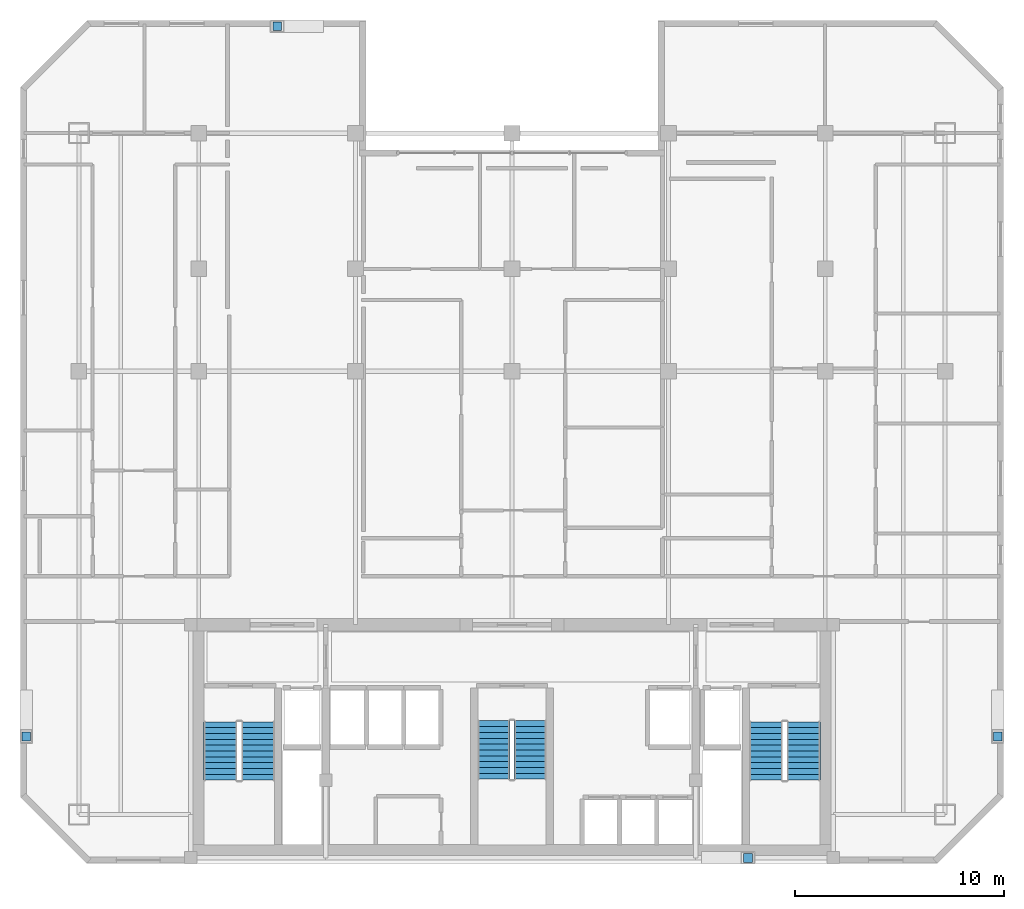
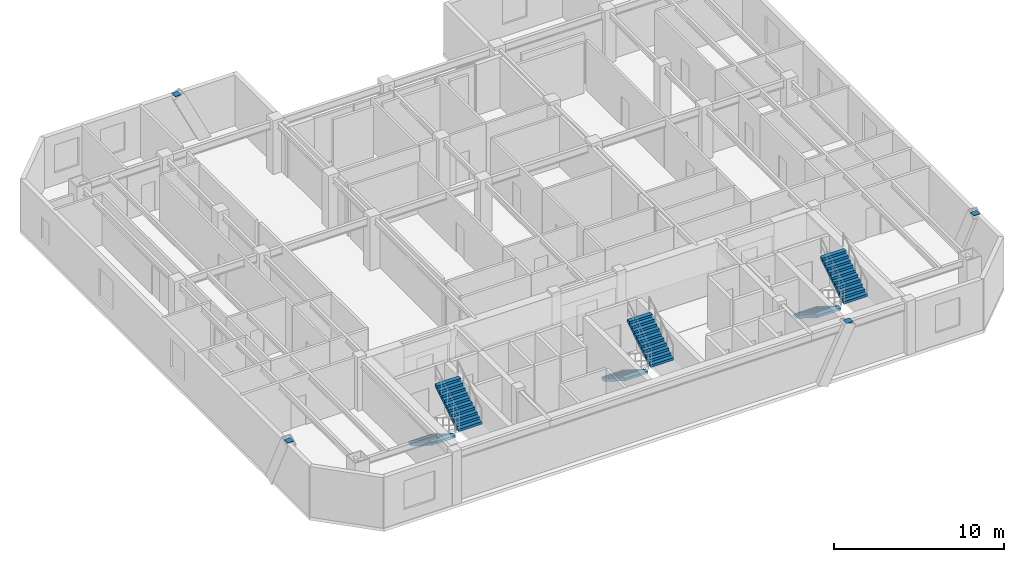
# One storey, part 9 of 10: 6 stair flights, 4 discrete accessories, 3 elements without a shape of their own.
"""IFC4 building model written with IfcOpenShell, lengths in metres."""

from ifc_helpers import new_model, si_unit, direction, frame, origin, origin_2d, place, context, subcontext, project, spatial, polyline, rectangle, outline, extrude, material, type_object, element, aggregate, save


model = new_model("IFC4")

# Units and contexts
model_context = context("Model", 3, precision=1e-05, world=origin(), true_north=direction((0.0, 1.0)))
body_context = subcontext(model_context, "Body", "Model", "MODEL_VIEW")
ifc_project = project(units=[si_unit("LENGTHUNIT", "METRE"), si_unit("AREAUNIT", "SQUARE_METRE"), si_unit("VOLUMEUNIT", "CUBIC_METRE"), si_unit("PLANEANGLEUNIT", "RADIAN"), si_unit("MASSUNIT", "GRAM", prefix="KILO")], contexts=[model_context])

# Site, building, storey
site_placement = place(None, origin())
site = spatial("IfcSite", under=ifc_project, at=site_placement, CompositionType="ELEMENT")
building_placement = place(site_placement, origin())
building = spatial("IfcBuilding", under=site, at=building_placement, Name="Ventersveld Concourse Tower", CompositionType="ELEMENT")
storey_placement = place(building_placement, frame((0.0, 0.0, 208.0)))
storey = spatial("IfcBuildingStorey", under=building, at=storey_placement, Name="L51", CompositionType="ELEMENT", Elevation=208.0)

# Stair, stair flights
ifc_material_1 = material(Name="Concrete C50/60", Category="concrete")
stair_type_1 = type_object("IfcStairType", Name="ST-DOG-155", PredefinedType="HALF_TURN_STAIR", material=ifc_material_1)
stair_1_placement = place(storey_placement, origin())
stair_1 = element("IfcStair", 1, at=stair_1_placement, inside=storey, type_object=stair_type_1, Name="L51 Protected Central Core Escape Stair ST-03", PredefinedType="HALF_TURN_STAIR")
stair_flight_type_1 = type_object("IfcStairFlightType", Name="STF-RC-155", PredefinedType="STRAIGHT", material=ifc_material_1)
stair_flight_1_placement = place(storey_placement, frame((27.875, 6.85009765625, 0.0), z_axis=(0.0, 0.0, 1.0), x_axis=(0.0, -1.0, 0.0)))
stair_flight_1 = element("IfcStairFlight", 2, at=stair_flight_1_placement, type_object=stair_flight_type_1, Name="ST-03 flight 1", NumberOfRisers=11, NumberOfTreads=10, PredefinedType="STRAIGHT", RiserHeight=0.175, TreadLength=0.28, context=body_context, shape_type="SweptSolid", body=[
    extrude(outline(polyline([(0.0, 0.0), (0.0, 0.175048828125), (0.280029296875, 0.175048828125), (0.280029296875, 0.35009765625), (0.56005859375, 0.35009765625), (0.56005859375, 0.52490234375), (0.840087890625, 0.52490234375), (0.840087890625, 0.699951171875), (1.1201171875, 0.699951171875), (1.1201171875, 0.875), (1.39990234375, 0.875), (1.39990234375, 1.050048828125), (1.679931640625, 1.050048828125), (1.679931640625, 1.22509765625), (1.9599609375, 1.22509765625), (1.9599609375, 1.39990234375), (2.239990234375, 1.39990234375), (2.239990234375, 1.574951171875), (2.52001953125, 1.574951171875), (2.52001953125, 1.75), (2.800048828125, 1.75), (2.800048828125, 1.925048828125), (2.800048828125, 1.5732421875), (0.28271484375, 0.0), (0.0, 0.0)])), frame((0.0, 0.77490234375, 0.0), z_axis=(0.0, -1.0, 0.0), x_axis=(1.0, 0.0, 0.0)), (0.0, 0.0, 1.0), 1.550048828125),
])
stair_flight_2_placement = place(storey_placement, frame((29.625, 4.050048828125, 1.925048828125), z_axis=(0.0, 0.0, 1.0), x_axis=(0.0, 1.0, 0.0)))
stair_flight_2 = element("IfcStairFlight", 3, at=stair_flight_2_placement, type_object=stair_flight_type_1, Name="ST-03 flight 2", NumberOfRisers=11, NumberOfTreads=10, PredefinedType="STRAIGHT", RiserHeight=0.175, TreadLength=0.28, context=body_context, shape_type="SweptSolid", body=[
    extrude(outline(polyline([(0.0, 0.0), (0.0, 0.175048828125), (0.280029296875, 0.175048828125), (0.280029296875, 0.35009765625), (0.56005859375, 0.35009765625), (0.56005859375, 0.52490234375), (0.840087890625, 0.52490234375), (0.840087890625, 0.699951171875), (1.1201171875, 0.699951171875), (1.1201171875, 0.875), (1.39990234375, 0.875), (1.39990234375, 1.050048828125), (1.679931640625, 1.050048828125), (1.679931640625, 1.22509765625), (1.9599609375, 1.22509765625), (1.9599609375, 1.39990234375), (2.239990234375, 1.39990234375), (2.239990234375, 1.574951171875), (2.52001953125, 1.574951171875), (2.52001953125, 1.75), (2.800048828125, 1.75), (2.800048828125, 1.925048828125), (2.800048828125, 1.5732421875), (0.28271484375, 0.0), (0.0, 0.0)])), frame((0.0, 0.77490234375, 0.0), z_axis=(0.0, -1.0, 0.0), x_axis=(1.0, 0.0, 0.0)), (0.0, 0.0, 1.0), 1.550048828125),
])
aggregate(stair_1, [stair_flight_1, stair_flight_2])

stair_type_2 = type_object("IfcStairType", Name="ST-DOG-160", PredefinedType="HALF_TURN_STAIR", material=ifc_material_1)
stair_2_placement = place(storey_placement, origin())
stair_2 = element("IfcStair", 4, at=stair_2_placement, inside=storey, type_object=stair_type_2, Name="L51 Protected Tower Escape Stair ST-01", PredefinedType="HALF_TURN_STAIR")
stair_flight_type_2 = type_object("IfcStairFlightType", Name="STF-RC-160", PredefinedType="STRAIGHT", material=ifc_material_1)
stair_flight_3_placement = place(storey_placement, frame((14.780029296875, 6.800048828125, 0.0), z_axis=(0.0, 0.0, 1.0), x_axis=(0.0, -1.0, 0.0)))
stair_flight_3 = element("IfcStairFlight", 5, at=stair_flight_3_placement, type_object=stair_flight_type_2, Name="ST-01 flight 1", NumberOfRisers=11, NumberOfTreads=10, PredefinedType="STRAIGHT", RiserHeight=0.175, TreadLength=0.28, context=body_context, shape_type="SweptSolid", body=[
    extrude(outline(polyline([(0.0, 0.0), (0.0, 0.175048828125), (0.280029296875, 0.175048828125), (0.280029296875, 0.35009765625), (0.56005859375, 0.35009765625), (0.56005859375, 0.52490234375), (0.840087890625, 0.52490234375), (0.840087890625, 0.699951171875), (1.1201171875, 0.699951171875), (1.1201171875, 0.875), (1.39990234375, 0.875), (1.39990234375, 1.050048828125), (1.679931640625, 1.050048828125), (1.679931640625, 1.22509765625), (1.9599609375, 1.22509765625), (1.9599609375, 1.39990234375), (2.239990234375, 1.39990234375), (2.239990234375, 1.574951171875), (2.52001953125, 1.574951171875), (2.52001953125, 1.75), (2.800048828125, 1.75), (2.800048828125, 1.925048828125), (2.800048828125, 1.5732421875), (0.28271484375, 0.0), (0.0, 0.0)])), frame((0.0, 0.800048828125, 0.0), z_axis=(0.0, -1.0, 0.0), x_axis=(1.0, 0.0, 0.0)), (0.0, 0.0, 1.0), 1.60009765625),
])
stair_flight_4_placement = place(storey_placement, frame((16.580078125, 4.0, 1.925048828125), z_axis=(0.0, 0.0, 1.0), x_axis=(0.0, 1.0, 0.0)))
stair_flight_4 = element("IfcStairFlight", 6, at=stair_flight_4_placement, type_object=stair_flight_type_2, Name="ST-01 flight 2", NumberOfRisers=11, NumberOfTreads=10, PredefinedType="STRAIGHT", RiserHeight=0.175, TreadLength=0.28, context=body_context, shape_type="SweptSolid", body=[
    extrude(outline(polyline([(0.0, 0.0), (0.0, 0.175048828125), (0.280029296875, 0.175048828125), (0.280029296875, 0.35009765625), (0.56005859375, 0.35009765625), (0.56005859375, 0.52490234375), (0.840087890625, 0.52490234375), (0.840087890625, 0.699951171875), (1.1201171875, 0.699951171875), (1.1201171875, 0.875), (1.39990234375, 0.875), (1.39990234375, 1.050048828125), (1.679931640625, 1.050048828125), (1.679931640625, 1.22509765625), (1.9599609375, 1.22509765625), (1.9599609375, 1.39990234375), (2.239990234375, 1.39990234375), (2.239990234375, 1.574951171875), (2.52001953125, 1.574951171875), (2.52001953125, 1.75), (2.800048828125, 1.75), (2.800048828125, 1.925048828125), (2.800048828125, 1.5732421875), (0.28271484375, 0.0), (0.0, 0.0)])), frame((0.0, 0.800048828125, 0.0), z_axis=(0.0, -1.0, 0.0), x_axis=(1.0, 0.0, 0.0)), (0.0, 0.0, 1.0), 1.60009765625),
])
aggregate(stair_2, [stair_flight_3, stair_flight_4])

stair_3_placement = place(storey_placement, origin())
stair_3 = element("IfcStair", 7, at=stair_3_placement, inside=storey, type_object=stair_type_2, Name="L51 Protected Tower Escape Stair ST-02", PredefinedType="HALF_TURN_STAIR")
stair_flight_5_placement = place(storey_placement, frame((40.919921875, 6.800048828125, 0.0), z_axis=(0.0, 0.0, 1.0), x_axis=(0.0, -1.0, 0.0)))
stair_flight_5 = element("IfcStairFlight", 8, at=stair_flight_5_placement, type_object=stair_flight_type_2, Name="ST-02 flight 1", NumberOfRisers=11, NumberOfTreads=10, PredefinedType="STRAIGHT", RiserHeight=0.175, TreadLength=0.28, context=body_context, shape_type="SweptSolid", body=[
    extrude(outline(polyline([(0.0, 0.0), (0.0, 0.175048828125), (0.280029296875, 0.175048828125), (0.280029296875, 0.35009765625), (0.56005859375, 0.35009765625), (0.56005859375, 0.52490234375), (0.840087890625, 0.52490234375), (0.840087890625, 0.699951171875), (1.1201171875, 0.699951171875), (1.1201171875, 0.875), (1.39990234375, 0.875), (1.39990234375, 1.050048828125), (1.679931640625, 1.050048828125), (1.679931640625, 1.22509765625), (1.9599609375, 1.22509765625), (1.9599609375, 1.39990234375), (2.239990234375, 1.39990234375), (2.239990234375, 1.574951171875), (2.52001953125, 1.574951171875), (2.52001953125, 1.75), (2.800048828125, 1.75), (2.800048828125, 1.925048828125), (2.800048828125, 1.5732421875), (0.28271484375, 0.0), (0.0, 0.0)])), frame((0.0, 0.800048828125, 0.0), z_axis=(0.0, -1.0, 0.0), x_axis=(1.0, 0.0, 0.0)), (0.0, 0.0, 1.0), 1.60009765625),
])
stair_flight_6_placement = place(storey_placement, frame((42.719970703125, 4.0, 1.925048828125), z_axis=(0.0, 0.0, 1.0), x_axis=(0.0, 1.0, 0.0)))
stair_flight_6 = element("IfcStairFlight", 9, at=stair_flight_6_placement, type_object=stair_flight_type_2, Name="ST-02 flight 2", NumberOfRisers=11, NumberOfTreads=10, PredefinedType="STRAIGHT", RiserHeight=0.175, TreadLength=0.28, context=body_context, shape_type="SweptSolid", body=[
    extrude(outline(polyline([(0.0, 0.0), (0.0, 0.175048828125), (0.280029296875, 0.175048828125), (0.280029296875, 0.35009765625), (0.56005859375, 0.35009765625), (0.56005859375, 0.52490234375), (0.840087890625, 0.52490234375), (0.840087890625, 0.699951171875), (1.1201171875, 0.699951171875), (1.1201171875, 0.875), (1.39990234375, 0.875), (1.39990234375, 1.050048828125), (1.679931640625, 1.050048828125), (1.679931640625, 1.22509765625), (1.9599609375, 1.22509765625), (1.9599609375, 1.39990234375), (2.239990234375, 1.39990234375), (2.239990234375, 1.574951171875), (2.52001953125, 1.574951171875), (2.52001953125, 1.75), (2.800048828125, 1.75), (2.800048828125, 1.925048828125), (2.800048828125, 1.5732421875), (0.28271484375, 0.0), (0.0, 0.0)])), frame((0.0, 0.800048828125, 0.0), z_axis=(0.0, -1.0, 0.0), x_axis=(1.0, 0.0, 0.0)), (0.0, 0.0, 1.0), 1.60009765625),
])
aggregate(stair_3, [stair_flight_5, stair_flight_6])

# Discrete accessories
ifc_material_2 = material(Name="Structural steel S355J2", Category="steel")
discrete_accessory_type = type_object("IfcDiscreteAccessoryType", Name="CONN-BRACE-ECP1", PredefinedType="BRACKET", material=ifc_material_2)
for number, where, z_axis, x_axis, name in (
    (10, (17.5, 40.1201171875, 3.60986328125), (0.0, 0.0, 1.0), (1.0, 0.0, 0.0), "L51 Steel Brace End Connection Plate ECP1-0386"),
    (11, (40.050048828125, 0.280029296875, 3.60986328125), (0.0, 0.0, 1.0), (1.0, 0.0, 0.0), "L51 Steel Brace End Connection Plate ECP1-0390"),
    (12, (5.47998046875, 6.10009765625, 3.60986328125), (0.0, 0.0, 1.0), (1.0, 0.0, 0.0), "L51 Steel Brace End Connection Plate ECP1-0394"),
    (13, (52.02001953125, 6.10009765625, 3.60986328125), (0.0, 0.0, 1.0), (1.0, 0.0, 0.0), "L51 Steel Brace End Connection Plate ECP1-0398"),
):
    element("IfcDiscreteAccessory", number, at=place(storey_placement, frame(where, z_axis=z_axis, x_axis=x_axis)), inside=storey, type_object=discrete_accessory_type, Name=name, PredefinedType="BRACKET", context=body_context, shape_type="SweptSolid", body=[
        extrude(rectangle(XDim=0.419921875, YDim=0.419921875, at=origin_2d()), origin(), (0.0, 0.0, 1.0), 0.0400390625),
    ])

save(model, "model.ifc")
